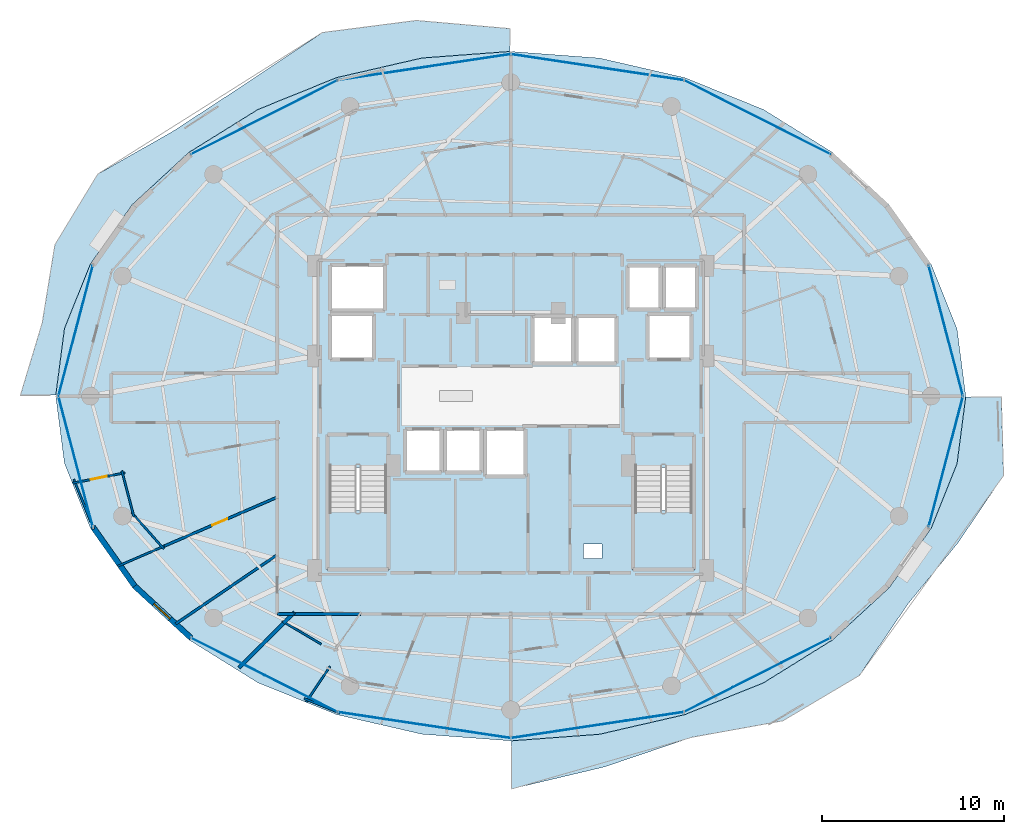
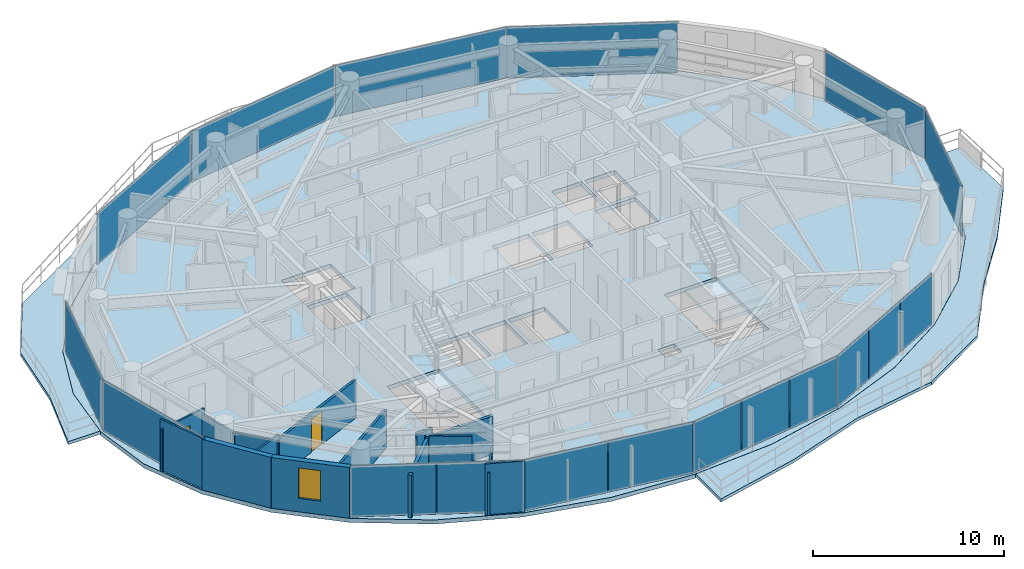
# One storey, part 21 of 31: 18 plates, 16 walls, 5 slabs, 2 doors, 1 window, 3 openings, 6 elements without a shape of their own.
"""IFC4 building model written with IfcOpenShell, lengths in metres."""

import ifcopenshell
import ifcopenshell.guid

model = None  # the IFC model being written
_history = None  # IfcOwnerHistory: only IFC2X3 demands one
_inside = {}  # id of a spatial element -> (the spatial element, [elements in it])
_under = {}  # id of a project, library or spatial element -> (it, [spatial elements below it])
_declared = {}  # id of a project -> (the project, [libraries it declares])
_typed = {}  # id of a type object -> (the type object, [elements of that type])
_made_of = {}  # id of a material, layer set ... -> (it, [elements and type objects made of it])


def new_model(schema):
    """Start an empty IFC model of exactly this schema.

    Asked for "IFC4X3", IfcOpenShell would pick the latest addendum, in which some entities
    have other attributes; the version numbers below select the first issue.
    IFC2X3 requires an IfcOwnerHistory on every rooted entity: one is made here for all.
    """
    global model, _history
    if schema == "IFC4X3":
        model = ifcopenshell.file(schema_version=(4, 3, 0, 0))
    else:
        model = ifcopenshell.file(schema=schema)
    _inside.clear()
    _under.clear()
    _declared.clear()
    _typed.clear()
    _made_of.clear()
    _history = None
    if model.schema == "IFC2X3":
        org = make("IfcOrganization", Name="unknown")
        user = make(
            "IfcPersonAndOrganization",
            ThePerson=make("IfcPerson", FamilyName="unknown"),
            TheOrganization=org,
        )
        app = make(
            "IfcApplication",
            ApplicationDeveloper=org,
            Version="unknown",
            ApplicationFullName="unknown",
            ApplicationIdentifier="unknown",
        )
        _history = make(
            "IfcOwnerHistory",
            OwningUser=user,
            OwningApplication=app,
            ChangeAction="ADDED",
            CreationDate=0,
        )
    return model


def make(cls, **values):
    """One entity of the class cls with the attributes given. An attribute that is None is left unset."""
    return model.create_entity(
        cls, **{name: value for name, value in values.items() if value is not None}
    )


def rooted(cls, **values):
    """An entity with a GlobalId (a new one), such as an element, a storey or a relation."""
    return make(cls, GlobalId=ifcopenshell.guid.new(), OwnerHistory=_history, **values)


def si_unit(unit_type, name, prefix=None):
    """IfcSIUnit, for example si_unit("LENGTHUNIT", "METRE", prefix="MILLI")."""
    return make("IfcSIUnit", UnitType=unit_type, Prefix=prefix, Name=name)


def assignment(units):
    """IfcUnitAssignment: the units of a project."""
    return None if units is None else make("IfcUnitAssignment", Units=units)


def point(xyz):
    """IfcCartesianPoint."""
    return None if xyz is None else make("IfcCartesianPoint", Coordinates=xyz)


def direction(xyz):
    """IfcDirection."""
    return None if xyz is None else make("IfcDirection", DirectionRatios=xyz)


def frame(location, z_axis=None, x_axis=None):
    """IfcAxis2Placement3D, a coordinate frame: its origin and axes. An axis left out is left unset."""
    return make(
        "IfcAxis2Placement3D",
        Location=point(location),
        Axis=direction(z_axis),
        RefDirection=direction(x_axis),
    )


def frame_2d(location, x_axis=None):
    """IfcAxis2Placement2D, a coordinate frame in the plane: its origin and x axis."""
    return make(
        "IfcAxis2Placement2D", Location=point(location), RefDirection=direction(x_axis)
    )


def origin():
    """The frame at (0, 0, 0) with its axes left unset."""
    return frame((0.0, 0.0, 0.0))


def origin_2d():
    """The frame at (0, 0) in the plane with its x axis left unset."""
    return frame_2d((0.0, 0.0))


def place(relative_to, where):
    """IfcLocalPlacement: puts the frame where relative to a parent placement (None: the world)."""
    return make(
        "IfcLocalPlacement", PlacementRelTo=relative_to, RelativePlacement=where
    )


def context(
    kind, dimensions, precision=None, world=None, true_north=None, identifier=None
):
    """IfcGeometricRepresentationContext, for example the 3D "Model" context."""
    return make(
        "IfcGeometricRepresentationContext",
        ContextIdentifier=identifier,
        ContextType=kind,
        CoordinateSpaceDimension=dimensions,
        Precision=precision,
        WorldCoordinateSystem=world,
        TrueNorth=true_north,
    )


def subcontext(parent, identifier, kind, view, scale=None):
    """IfcGeometricRepresentationSubContext, for example "Body" below "Model"."""
    return make(
        "IfcGeometricRepresentationSubContext",
        ContextIdentifier=identifier,
        ContextType=kind,
        ParentContext=parent,
        TargetScale=scale,
        TargetView=view,
    )


def project(units=None, contexts=None):
    """IfcProject with its units and contexts."""
    return rooted(
        "IfcProject",
        Name="project",
        RepresentationContexts=contexts,
        UnitsInContext=assignment(units),
    )


def spatial(cls, under=None, at=None, **own):
    """A site, building, storey or space (cls), placed at a placement, below another one or the project."""
    s = rooted(cls, ObjectPlacement=at, **own)
    if under is not None:
        _under.setdefault(under.id(), (under, []))[1].append(s)
    return s


def polyline(points):
    """IfcPolyline through the points."""
    return make("IfcPolyline", Points=[point(p) for p in points])


def profile(cls, at=None, kind="AREA", **sizes):
    """A parametric profile (cls). Its sizes go by their IFC names, for example OverallWidth=200.0."""
    return make(cls, ProfileType=kind, Position=at, **sizes)


def rectangle(**sizes):
    """IfcRectangleProfileDef."""
    return profile("IfcRectangleProfileDef", **sizes)


def outline(outer, holes=None, kind="AREA"):
    """IfcArbitraryClosedProfileDef: a profile drawn as a closed curve; with holes, ...WithVoids."""
    if holes is None:
        return make("IfcArbitraryClosedProfileDef", ProfileType=kind, OuterCurve=outer)
    return make(
        "IfcArbitraryProfileDefWithVoids",
        ProfileType=kind,
        OuterCurve=outer,
        InnerCurves=holes,
    )


def extrude(swept, where, along, depth):
    """IfcExtrudedAreaSolid: the profile swept, set in the frame where, extruded along a direction by depth."""
    return make(
        "IfcExtrudedAreaSolid",
        SweptArea=swept,
        Position=where,
        ExtrudedDirection=direction(along),
        Depth=depth,
    )


def shape(context_of_items, identifier, shape_type, items):
    """IfcShapeRepresentation: the items that make up one representation, for example the "Body"."""
    return make(
        "IfcShapeRepresentation",
        ContextOfItems=context_of_items,
        RepresentationIdentifier=identifier,
        RepresentationType=shape_type,
        Items=items,
    )


def material(Name=None, Category=None):
    """IfcMaterial."""
    return make("IfcMaterial", Name=Name, Category=Category)


def layer(
    of_material, thickness, ventilated=None, Name=None, Category=None, Priority=None
):
    """IfcMaterialLayer: one layer of a wall or slab, of a material (None: an air gap)."""
    return make(
        "IfcMaterialLayer",
        Material=of_material,
        LayerThickness=thickness,
        IsVentilated=ventilated,
        Name=Name,
        Category=Category,
        Priority=Priority,
    )


def layer_set(layers, Name=None):
    """IfcMaterialLayerSet."""
    return make("IfcMaterialLayerSet", MaterialLayers=layers, LayerSetName=Name)


def made_of(thing, what):
    """Note that an element or type object is made of a material, layer set ...; save() writes the relation."""
    if what is not None:
        _made_of.setdefault(what.id(), (what, []))[1].append(thing)
    return thing


def type_object(cls, material=None, **own):
    """A type object (cls), such as IfcWallType, which elements share."""
    return made_of(rooted(cls, **own), material)


def element(
    cls,
    number,
    at=None,
    inside=None,
    cuts=None,
    type_object=None,
    material=None,
    context=None,
    identifier="Body",
    shape_type=None,
    held_by="IfcProductDefinitionShape",
    body=None,
    shapes=None,
    **own,
):
    """One element of the class cls, such as IfcWall. Its Tag is "e" and its number.

    at: its placement. inside: the storey or other place that contains it. cuts: it is an
    opening in that element (IfcRelVoidsElement). A single representation is given by context,
    identifier, shape_type and body (its items); several are given by shapes. held_by: the class
    of the entity that holds the representations. save() writes the other relations.
    """
    e = rooted(cls, Tag="e%d" % number, ObjectPlacement=at, **own)
    if body is not None:
        shapes = [shape(context, identifier, shape_type, body)]
    if shapes is not None:
        e.Representation = make(held_by, Representations=shapes)
    if inside is not None:
        _inside.setdefault(inside.id(), (inside, []))[1].append(e)
    if cuts is not None:
        rooted(
            "IfcRelVoidsElement", RelatingBuildingElement=cuts, RelatedOpeningElement=e
        )
    if type_object is not None:
        _typed.setdefault(type_object.id(), (type_object, []))[1].append(e)
    return made_of(e, material)


def fill(opening, filler):
    """IfcRelFillsElement: the door or window that sits in an opening."""
    return rooted(
        "IfcRelFillsElement",
        RelatingOpeningElement=opening,
        RelatedBuildingElement=filler,
    )


def aggregate(whole, parts):
    """IfcRelAggregates: a whole, such as a stair, and the parts it consists of."""
    return rooted("IfcRelAggregates", RelatingObject=whole, RelatedObjects=parts)


def save(model, path):
    """Write the relations noted so far, then the file.

    IfcRelAggregates (storeys below a building ...), IfcRelContainedInSpatialStructure (elements
    in a storey), IfcRelDefinesByType, IfcRelAssociatesMaterial and IfcRelDeclares: one each for
    every whole, place, type object, material and project.
    """
    for whole, parts in _under.values():
        aggregate(whole, parts)
    for where, things in _inside.values():
        rooted(
            "IfcRelContainedInSpatialStructure",
            RelatedElements=things,
            RelatingStructure=where,
        )
    for kind, things in _typed.values():
        rooted("IfcRelDefinesByType", RelatedObjects=things, RelatingType=kind)
    for what, things in _made_of.values():
        rooted("IfcRelAssociatesMaterial", RelatedObjects=things, RelatingMaterial=what)
    for by, libraries in _declared.values():
        rooted("IfcRelDeclares", RelatingContext=by, RelatedDefinitions=libraries)
    model.write(path)


model = new_model("IFC4")

# Units and contexts
model_context = context("Model", 3, precision=1e-05, world=origin(), true_north=direction((0.0, 1.0)))
body_context = subcontext(model_context, "Body", "Model", "MODEL_VIEW")
ifc_project = project(units=[si_unit("LENGTHUNIT", "METRE"), si_unit("AREAUNIT", "SQUARE_METRE"), si_unit("VOLUMEUNIT", "CUBIC_METRE"), si_unit("PLANEANGLEUNIT", "RADIAN"), si_unit("MASSUNIT", "GRAM", prefix="KILO")], contexts=[model_context])

# Site, building, storey
site_placement = place(None, origin())
site = spatial("IfcSite", under=ifc_project, at=site_placement, CompositionType="ELEMENT")
building_placement = place(site_placement, origin())
building = spatial("IfcBuilding", under=site, at=building_placement, Name="Vorneva Point Tower", CompositionType="ELEMENT")
storey_placement = place(building_placement, frame((0.0, 0.0, 129.10009765625)))
storey = spatial("IfcBuildingStorey", under=building, at=storey_placement, Name="L34", CompositionType="ELEMENT", Elevation=129.10009765625)

# Curtain wall, plates
ifc_material_1 = material(Name="Pale anodised aluminium", Category="aluminium")
curtain_wall_type = type_object("IfcCurtainWallType", Name="CW-RES-SYS", PredefinedType="NOTDEFINED", material=ifc_material_1)
curtain_wall_1_placement = place(storey_placement, origin())
curtain_wall_1 = element("IfcCurtainWall", 1, at=curtain_wall_1_placement, inside=storey, type_object=curtain_wall_type, Name="L34 Unitised Curtain Wall CW-L34-R01", PredefinedType="NOTDEFINED")
ifc_material_2 = material(Name="Double low-e laminated glass IGU", Category="glass")
ifc_layer_1 = layer(ifc_material_2, 0.035888671875)
ifc_layer_set_1 = layer_set([ifc_layer_1], Name="Double low-e laminated glass IGU")
plate_type = type_object("IfcPlateType", Name="CW-PNL-VIS", PredefinedType="CURTAIN_PANEL", material=ifc_layer_set_1)
plate_1_placement = place(storey_placement, frame((61.856201171875, 22.412353515625, -0.02001953125), z_axis=(0.0, 0.0, 1.0), x_axis=(0.254433162972, 0.967090360608, 0.0)))
plate_1 = element("IfcPlate", 2, at=plate_1_placement, type_object=plate_type, Name="CW-L34-R01 Glazed Panel 01", PredefinedType="CURTAIN_PANEL", context=body_context, shape_type="SweptSolid", body=[
    extrude(rectangle(XDim=7.369384765625, YDim=0.035888671875, at=origin_2d()), origin(), (0.0, 0.0, 1.0), 3.280029296875),
])
plate_2_placement = place(storey_placement, frame((61.856201171875, 29.587646484375, -0.02001953125), z_axis=(0.0, 0.0, 1.0), x_axis=(-0.254433162972, 0.967090360608, 0.0)))
plate_2 = element("IfcPlate", 3, at=plate_2_placement, type_object=plate_type, Name="CW-L34-R01 Glazed Panel 02", PredefinedType="CURTAIN_PANEL", context=body_context, shape_type="SweptSolid", body=[
    extrude(rectangle(XDim=7.369384765625, YDim=0.035888671875, at=origin_2d()), origin(), (0.0, 0.0, 1.0), 3.280029296875),
])
aggregate(curtain_wall_1, [plate_1, plate_2])

curtain_wall_2_placement = place(storey_placement, origin())
curtain_wall_2 = element("IfcCurtainWall", 4, at=curtain_wall_2_placement, inside=storey, type_object=curtain_wall_type, Name="L34 Unitised Curtain Wall CW-L34-R02", PredefinedType="NOTDEFINED")
plate_3_placement = place(storey_placement, frame((51.513427734375, 41.29052734375, -0.02001953125), z_axis=(0.0, 0.0, 1.0), x_axis=(-0.892577949019, 0.450893119182, 0.0)))
plate_3 = element("IfcPlate", 5, at=plate_3_placement, type_object=plate_type, Name="CW-L34-R02 Glazed Panel 01", PredefinedType="CURTAIN_PANEL", context=body_context, shape_type="SweptSolid", body=[
    extrude(rectangle(XDim=8.964111328125, YDim=0.035888671875, at=origin_2d()), origin(), (0.0, 0.0, 1.0), 3.280029296875),
])
plate_4_placement = place(storey_placement, frame((42.7451171875, 44.036376953125, -0.02001953125), z_axis=(0.0, 0.0, 1.0), x_axis=(-0.988878712919, 0.148724211669, 0.0)))
plate_4 = element("IfcPlate", 6, at=plate_4_placement, type_object=plate_type, Name="CW-L34-R02 Glazed Panel 02", PredefinedType="CURTAIN_PANEL", context=body_context, shape_type="SweptSolid", body=[
    extrude(rectangle(XDim=9.547119140625, YDim=0.035888671875, at=origin_2d()), origin(), (0.0, 0.0, 1.0), 3.280029296875),
])
plate_5_placement = place(storey_placement, frame((33.2548828125, 44.036376953125, -0.02001953125), z_axis=(0.0, 0.0, 1.0), x_axis=(-0.988878712919, -0.148724211669, 0.0)))
plate_5 = element("IfcPlate", 7, at=plate_5_placement, type_object=plate_type, Name="CW-L34-R02 Glazed Panel 03", PredefinedType="CURTAIN_PANEL", context=body_context, shape_type="SweptSolid", body=[
    extrude(rectangle(XDim=9.547119140625, YDim=0.035888671875, at=origin_2d()), origin(), (0.0, 0.0, 1.0), 3.280029296875),
])
plate_6_placement = place(storey_placement, frame((24.486572265625, 41.29052734375, -0.02001953125), z_axis=(0.0, 0.0, 1.0), x_axis=(-0.892577949019, -0.450893119182, 0.0)))
plate_6 = element("IfcPlate", 8, at=plate_6_placement, type_object=plate_type, Name="CW-L34-R02 Glazed Panel 04", PredefinedType="CURTAIN_PANEL", context=body_context, shape_type="SweptSolid", body=[
    extrude(rectangle(XDim=8.964111328125, YDim=0.035888671875, at=origin_2d()), origin(), (0.0, 0.0, 1.0), 3.280029296875),
])
aggregate(curtain_wall_2, [plate_3, plate_4, plate_5, plate_6])

curtain_wall_3_placement = place(storey_placement, origin())
curtain_wall_3 = element("IfcCurtainWall", 9, at=curtain_wall_3_placement, inside=storey, type_object=curtain_wall_type, Name="L34 Unitised Curtain Wall CW-L34-R03", PredefinedType="NOTDEFINED")
plate_7_placement = place(storey_placement, frame((14.143798828125, 29.587646484375, -0.02001953125), z_axis=(0.0, 0.0, 1.0), x_axis=(-0.254433162972, -0.967090360608, 0.0)))
plate_7 = element("IfcPlate", 10, at=plate_7_placement, type_object=plate_type, Name="CW-L34-R03 Glazed Panel 01", PredefinedType="CURTAIN_PANEL", context=body_context, shape_type="SweptSolid", body=[
    extrude(rectangle(XDim=7.369384765625, YDim=0.035888671875, at=origin_2d()), origin(), (0.0, 0.0, 1.0), 3.280029296875),
])
plate_8_placement = place(storey_placement, frame((14.143798828125, 22.412353515625, -0.02001953125), z_axis=(0.0, 0.0, 1.0), x_axis=(0.254433162972, -0.967090360608, 0.0)))
plate_8 = element("IfcPlate", 11, at=plate_8_placement, type_object=plate_type, Name="CW-L34-R03 Glazed Panel 02", PredefinedType="CURTAIN_PANEL", context=body_context, shape_type="SweptSolid", body=[
    extrude(rectangle(XDim=7.369384765625, YDim=0.035888671875, at=origin_2d()), origin(), (0.0, 0.0, 1.0), 3.280029296875),
])
aggregate(curtain_wall_3, [plate_7, plate_8])

curtain_wall_4_placement = place(storey_placement, origin())
curtain_wall_4 = element("IfcCurtainWall", 12, at=curtain_wall_4_placement, inside=storey, type_object=curtain_wall_type, Name="L34 Unitised Curtain Wall CW-L34-R04", PredefinedType="NOTDEFINED")
plate_9_placement = place(storey_placement, frame((22.47509765625, 11.7255859375, -0.02001953125), z_axis=(0.0, 0.0, 1.0), x_axis=(0.892577949019, -0.450893119182, 0.0)))
plate_9 = element("IfcPlate", 13, at=plate_9_placement, type_object=plate_type, Name="CW-L34-R04 Glazed Panel 01A", PredefinedType="CURTAIN_PANEL", context=body_context, shape_type="SweptSolid", body=[
    extrude(rectangle(XDim=4.45703125, YDim=0.035888671875, at=origin_2d()), origin(), (0.0, 0.0, 1.0), 3.280029296875),
])
plate_10_placement = place(storey_placement, frame((26.498046875, 9.693359375, -0.02001953125), z_axis=(0.0, 0.0, 1.0), x_axis=(0.892577949019, -0.450893119182, 0.0)))
plate_10 = element("IfcPlate", 14, at=plate_10_placement, type_object=plate_type, Name="CW-L34-R04 Glazed Panel 01B", PredefinedType="CURTAIN_PANEL", context=body_context, shape_type="SweptSolid", body=[
    extrude(rectangle(XDim=4.45703125, YDim=0.035888671875, at=origin_2d()), origin(), (0.0, 0.0, 1.0), 3.280029296875),
])
plate_11_placement = place(storey_placement, frame((30.882080078125, 8.320556640625, -0.02001953125), z_axis=(0.0, 0.0, 1.0), x_axis=(0.988878712919, -0.148724211669, 0.0)))
plate_11 = element("IfcPlate", 15, at=plate_11_placement, type_object=plate_type, Name="CW-L34-R04 Glazed Panel 02A", PredefinedType="CURTAIN_PANEL", context=body_context, shape_type="SweptSolid", body=[
    extrude(rectangle(XDim=4.74853515625, YDim=0.035888671875, at=origin_2d()), origin(), (0.0, 0.0, 1.0), 3.280029296875),
])
plate_12_placement = place(storey_placement, frame((35.62744140625, 7.606689453125, -0.02001953125), z_axis=(0.0, 0.0, 1.0), x_axis=(0.988878712919, -0.148724211669, 0.0)))
plate_12 = element("IfcPlate", 16, at=plate_12_placement, type_object=plate_type, Name="CW-L34-R04 Glazed Panel 02B", PredefinedType="CURTAIN_PANEL", context=body_context, shape_type="SweptSolid", body=[
    extrude(rectangle(XDim=4.74853515625, YDim=0.035888671875, at=origin_2d()), origin(), (0.0, 0.0, 1.0), 3.280029296875),
])
plate_13_placement = place(storey_placement, frame((39.581787109375, 7.48779296875, -0.02001953125), z_axis=(0.0, 0.0, 1.0), x_axis=(0.988878712919, 0.148724211669, 0.0)))
plate_13 = element("IfcPlate", 17, at=plate_13_placement, type_object=plate_type, Name="CW-L34-R04 Glazed Panel 03A", PredefinedType="CURTAIN_PANEL", context=body_context, shape_type="SweptSolid", body=[
    extrude(rectangle(XDim=3.149169921875, YDim=0.035888671875, at=origin_2d()), origin(), (0.0, 0.0, 1.0), 3.280029296875),
])
plate_14_placement = place(storey_placement, frame((42.7451171875, 7.963623046875, -0.02001953125), z_axis=(0.0, 0.0, 1.0), x_axis=(0.988878712919, 0.148724211669, 0.0)))
plate_14 = element("IfcPlate", 18, at=plate_14_placement, type_object=plate_type, Name="CW-L34-R04 Glazed Panel 03B", PredefinedType="CURTAIN_PANEL", context=body_context, shape_type="SweptSolid", body=[
    extrude(rectangle(XDim=3.149169921875, YDim=0.035888671875, at=origin_2d()), origin(), (0.0, 0.0, 1.0), 3.280029296875),
])
plate_15_placement = place(storey_placement, frame((45.90869140625, 8.439453125, -0.02001953125), z_axis=(0.0, 0.0, 1.0), x_axis=(0.988878712919, 0.148724211669, 0.0)))
plate_15 = element("IfcPlate", 19, at=plate_15_placement, type_object=plate_type, Name="CW-L34-R04 Glazed Panel 03C", PredefinedType="CURTAIN_PANEL", context=body_context, shape_type="SweptSolid", body=[
    extrude(rectangle(XDim=3.149169921875, YDim=0.035888671875, at=origin_2d()), origin(), (0.0, 0.0, 1.0), 3.280029296875),
])
plate_16_placement = place(storey_placement, frame((48.831298828125, 9.354736328125, -0.02001953125), z_axis=(0.0, 0.0, 1.0), x_axis=(0.892577949019, 0.450893119182, 0.0)))
plate_16 = element("IfcPlate", 20, at=plate_16_placement, type_object=plate_type, Name="CW-L34-R04 Glazed Panel 04A", PredefinedType="CURTAIN_PANEL", context=body_context, shape_type="SweptSolid", body=[
    extrude(rectangle(XDim=2.95458984375, YDim=0.035888671875, at=origin_2d()), origin(), (0.0, 0.0, 1.0), 3.280029296875),
])
plate_17_placement = place(storey_placement, frame((51.513427734375, 10.70947265625, -0.02001953125), z_axis=(0.0, 0.0, 1.0), x_axis=(0.892577949019, 0.450893119182, 0.0)))
plate_17 = element("IfcPlate", 21, at=plate_17_placement, type_object=plate_type, Name="CW-L34-R04 Glazed Panel 04B", PredefinedType="CURTAIN_PANEL", context=body_context, shape_type="SweptSolid", body=[
    extrude(rectangle(XDim=2.95458984375, YDim=0.035888671875, at=origin_2d()), origin(), (0.0, 0.0, 1.0), 3.280029296875),
])
plate_18_placement = place(storey_placement, frame((54.1953125, 12.064208984375, -0.02001953125), z_axis=(0.0, 0.0, 1.0), x_axis=(0.892577949019, 0.450893119182, 0.0)))
plate_18 = element("IfcPlate", 22, at=plate_18_placement, type_object=plate_type, Name="CW-L34-R04 Glazed Panel 04C", PredefinedType="CURTAIN_PANEL", context=body_context, shape_type="SweptSolid", body=[
    extrude(rectangle(XDim=2.95458984375, YDim=0.035888671875, at=origin_2d()), origin(), (0.0, 0.0, 1.0), 3.280029296875),
])
aggregate(curtain_wall_4, [plate_9, plate_10, plate_11, plate_12, plate_13, plate_14, plate_15, plate_16, plate_17, plate_18])

# Slabs
ifc_material_3 = material(Name="Concrete B50 (C40/50)", Category="concrete")
ifc_layer_2 = layer(ifc_material_3, 0.199951171875)
ifc_layer_set_2 = layer_set([ifc_layer_2], Name="Concrete B50 (C40/50)")
slab_type_1 = type_object("IfcSlabType", Name="SLB-BAL-200", PredefinedType="FLOOR", material=ifc_layer_set_2)
slab_1_placement = place(storey_placement, frame((0.0, 0.0, -0.2001953125)))
element("IfcSlab", 23, at=slab_1_placement, inside=storey, type_object=slab_type_1, Name="L34 Cantilevered Wave Balcony NW", PredefinedType="FLOOR", context=body_context, shape_type="SweptSolid", body=[
    extrude(outline(polyline([(11.114990234375, 26.050048828125), (13.052490234375, 26.050048828125), (13.525390625, 29.687744140625), (13.525390625, 29.68798828125), (13.525634765625, 29.6884765625), (13.525634765625, 29.688720703125), (14.945556640625, 33.234130859375), (14.94580078125, 33.234619140625), (14.94580078125, 33.235107421875), (17.25146484375, 36.502685546875), (17.251708984375, 36.5029296875), (17.252197265625, 36.503173828125), (20.35498046875, 39.3671875), (20.355224609375, 39.367431640625), (20.355712890625, 39.36767578125), (24.136474609375, 41.71826171875), (24.13671875, 41.718505859375), (24.136962890625, 41.718505859375), (28.450439453125, 43.465087890625), (28.45068359375, 43.465087890625), (28.451171875, 43.465087890625), (33.131591796875, 44.540771484375), (33.1318359375, 44.540771484375), (33.132080078125, 44.540771484375), (37.949951171875, 44.900390625), (37.949951171875, 46.154296875), (32.821533203125, 46.60009765625), (27.674560546875, 45.93896484375), (23.43359375, 43.107666015625), (19.47900390625, 40.524169921875), (15.35595703125, 38.17529296875), (13.003173828125, 34.296875), (12.307373046875, 30.008056640625), (11.114990234375, 26.050048828125)])), origin(), (0.0, 0.0, 1.0), 0.2001953125),
])
slab_2_placement = place(storey_placement, frame((0.0, 0.0, -0.2001953125)))
element("IfcSlab", 24, at=slab_2_placement, inside=storey, type_object=slab_type_1, Name="L34 Cantilevered Wave Balcony SE", PredefinedType="FLOOR", context=body_context, shape_type="SweptSolid", body=[
    extrude(outline(polyline([(65.020751953125, 21.643310546875), (64.9013671875, 25.949951171875), (62.947509765625, 25.949951171875), (62.474609375, 22.312255859375), (62.474609375, 22.31201171875), (62.474365234375, 22.3115234375), (62.474365234375, 22.311279296875), (61.054443359375, 18.765869140625), (61.05419921875, 18.765380859375), (61.05419921875, 18.764892578125), (58.74853515625, 15.497314453125), (58.748291015625, 15.4970703125), (58.747802734375, 15.496826171875), (55.64501953125, 12.6328125), (55.644775390625, 12.632568359375), (55.644287109375, 12.63232421875), (51.863525390625, 10.28173828125), (51.86328125, 10.281494140625), (51.863037109375, 10.281494140625), (47.549560546875, 8.534912109375), (47.54931640625, 8.534912109375), (47.548828125, 8.534912109375), (42.868408203125, 7.459228515625), (42.8681640625, 7.459228515625), (42.867919921875, 7.459228515625), (38.050048828125, 7.099609375), (38.050048828125, 4.4619140625), (43.1376953125, 5.669921875), (47.93798828125, 7.295166015625), (52.917724609375, 8.198486328125), (57.11865234375, 10.686767578125), (59.77099609375, 14.5947265625), (62.526611328125, 17.960205078125), (65.020751953125, 21.643310546875)])), origin(), (0.0, 0.0, 1.0), 0.2001953125),
])

# Stair, slab
stair_type = type_object("IfcStairType", Name="ST-DOG-1500", PredefinedType="HALF_TURN_STAIR", material=ifc_material_3)
stair_1_placement = place(storey_placement, origin())
stair_1 = element("IfcStair", 25, at=stair_1_placement, inside=storey, type_object=stair_type, Name="L34 ST1", PredefinedType="HALF_TURN_STAIR")
ifc_layer_3 = layer(ifc_material_3, 0.199951171875)
ifc_layer_set_3 = layer_set([ifc_layer_3], Name="Concrete B50 (C40/50)")
slab_type_2 = type_object("IfcSlabType", Name="SLB-LND-200", PredefinedType="LANDING", material=ifc_layer_set_3)
slab_3_placement = place(storey_placement, frame((0.0, 0.0, 1.5498046875)))
slab_3 = element("IfcSlab", 26, at=slab_3_placement, type_object=slab_type_2, Name="ST1 landing 1", PredefinedType="LANDING", context=body_context, shape_type="SweptSolid", body=[
    extrude(outline(polyline([(27.929931640625, 16.47998046875), (31.320068359375, 16.47998046875), (31.320068359375, 19.72998046875), (27.929931640625, 19.72998046875), (27.929931640625, 16.47998046875)])), origin(), (0.0, 0.0, 1.0), 0.2001953125),
])
aggregate(stair_1, [slab_3])

stair_2_placement = place(storey_placement, origin())
stair_2 = element("IfcStair", 27, at=stair_2_placement, inside=storey, type_object=stair_type, Name="L34 ST2", PredefinedType="HALF_TURN_STAIR")
slab_4_placement = place(storey_placement, frame((0.0, 0.0, 1.5498046875)))
slab_4 = element("IfcSlab", 28, at=slab_4_placement, type_object=slab_type_2, Name="ST2 landing 1", PredefinedType="LANDING", context=body_context, shape_type="SweptSolid", body=[
    extrude(outline(polyline([(44.679931640625, 16.47998046875), (48.070068359375, 16.47998046875), (48.070068359375, 19.72998046875), (44.679931640625, 19.72998046875), (44.679931640625, 16.47998046875)])), origin(), (0.0, 0.0, 1.0), 0.2001953125),
])
aggregate(stair_2, [slab_4])

# Slab
ifc_layer_4 = layer(ifc_material_3, 0.260009765625)
ifc_layer_set_4 = layer_set([ifc_layer_4], Name="Concrete B50 (C40/50)")
slab_type_3 = type_object("IfcSlabType", Name="SLB-TYP-260", PredefinedType="FLOOR", material=ifc_layer_set_4)
slab_5_placement = place(storey_placement, frame((0.0, 0.0, -0.260009765625)))
element("IfcSlab", 29, at=slab_5_placement, inside=storey, type_object=slab_type_3, Name="L34 Structural Floor Plate", PredefinedType="FLOOR", context=body_context, shape_type="SweptSolid", body=[
    extrude(outline(polyline([(62.949951171875, 26.0), (62.470703125, 29.687255859375), (61.05078125, 33.232666015625), (58.7451171875, 36.500244140625), (55.642333984375, 39.3642578125), (51.861572265625, 41.71484375), (47.548095703125, 43.461181640625), (42.867431640625, 44.536865234375), (38.0, 44.89990234375), (33.132568359375, 44.536865234375), (28.451904296875, 43.461181640625), (24.138427734375, 41.71484375), (20.357666015625, 39.3642578125), (17.2548828125, 36.500244140625), (14.94921875, 33.232666015625), (13.529296875, 29.687255859375), (13.050048828125, 26.0), (13.529296875, 22.312744140625), (14.94921875, 18.767333984375), (17.2548828125, 15.499755859375), (20.357666015625, 12.6357421875), (24.138427734375, 10.28515625), (28.451904296875, 8.538818359375), (33.132568359375, 7.463134765625), (38.0, 7.10009765625), (42.867431640625, 7.463134765625), (47.548095703125, 8.538818359375), (51.861572265625, 10.28515625), (55.642333984375, 12.6357421875), (58.7451171875, 15.499755859375), (61.05078125, 18.767333984375), (62.470703125, 22.312744140625), (62.949951171875, 26.0)]), holes=[polyline([(32.199951171875, 21.800048828125), (34.199951171875, 21.800048828125), (34.199951171875, 24.199951171875), (32.199951171875, 24.199951171875), (32.199951171875, 21.800048828125)]), polyline([(34.39990234375, 21.800048828125), (36.39990234375, 21.800048828125), (36.39990234375, 24.199951171875), (34.39990234375, 24.199951171875), (34.39990234375, 21.800048828125)]), polyline([(36.60009765625, 21.60009765625), (38.800048828125, 21.60009765625), (38.800048828125, 24.199951171875), (36.60009765625, 24.199951171875), (36.60009765625, 21.60009765625)]), polyline([(39.199951171875, 27.800048828125), (41.39990234375, 27.800048828125), (41.39990234375, 30.39990234375), (39.199951171875, 30.39990234375), (39.199951171875, 27.800048828125)]), polyline([(41.60009765625, 27.800048828125), (43.800048828125, 27.800048828125), (43.800048828125, 30.39990234375), (41.60009765625, 30.39990234375), (41.60009765625, 27.800048828125)]), polyline([(44.39990234375, 30.739990234375), (46.199951171875, 30.739990234375), (46.199951171875, 33.159912109375), (44.39990234375, 33.159912109375), (44.39990234375, 30.739990234375)]), polyline([(46.39990234375, 30.739990234375), (48.199951171875, 30.739990234375), (48.199951171875, 33.159912109375), (46.39990234375, 33.159912109375), (46.39990234375, 30.739990234375)]), polyline([(28.10009765625, 28.0), (30.5, 28.0), (30.5, 30.5), (28.10009765625, 30.5), (28.10009765625, 28.0)]), polyline([(45.5, 28.0), (47.89990234375, 28.0), (47.89990234375, 30.5), (45.5, 30.5), (45.5, 28.0)]), polyline([(28.10009765625, 30.699951171875), (31.10009765625, 30.699951171875), (31.10009765625, 33.199951171875), (28.10009765625, 33.199951171875), (28.10009765625, 30.699951171875)]), polyline([(28.050048828125, 16.60009765625), (31.199951171875, 16.60009765625), (31.199951171875, 22.080078125), (28.050048828125, 22.080078125), (28.050048828125, 16.60009765625)]), polyline([(44.800048828125, 16.60009765625), (47.949951171875, 16.60009765625), (47.949951171875, 22.080078125), (44.800048828125, 22.080078125), (44.800048828125, 16.60009765625)]), polyline([(42.0, 17.10009765625), (43.0, 17.10009765625), (43.0, 17.89990234375), (42.0, 17.89990234375), (42.0, 17.10009765625)])]), origin(), (0.0, 0.0, 1.0), 0.260009765625),
])

# Wall
ifc_material_4 = material(Name="Precast concrete B50 (C40/50)", Category="concrete")
ifc_layer_5 = layer(ifc_material_4, 0.300048828125)
ifc_layer_set_5 = layer_set([ifc_layer_5], Name="Precast concrete B50 (C40/50)")
wall_type_1 = type_object("IfcWallType", Name="WL-EXT-300", PredefinedType="STANDARD", material=ifc_layer_set_5)
wall_1_placement = place(storey_placement, frame((15.087890625, 18.82470703125, 0.0), z_axis=(0.0, 0.0, 1.0), x_axis=(0.577269753207, -0.816553508371, 0.0)))
element("IfcWall", 30, at=wall_1_placement, inside=storey, type_object=wall_type_1, Name="L34 Pale-Metal Facade Spandrel Wall 10.1", PredefinedType="STANDARD", context=body_context, shape_type="SweptSolid", body=[
    extrude(rectangle(XDim=3.969970703125, YDim=0.300048828125, at=frame_2d((1.98486328125, 0.0))), origin(), (0.0, 0.0, 1.0), 3.239990234375),
])

# Wall, opening, window
wall_2_placement = place(storey_placement, frame((17.379638671875, 15.5830078125, 0.0), z_axis=(0.0, 0.0, 1.0), x_axis=(0.735477154165, -0.677549522693, 0.0)))
wall_2 = element("IfcWall", 31, at=wall_2_placement, inside=storey, type_object=wall_type_1, Name="L34 Pale-Metal Facade Spandrel Wall 10.2", PredefinedType="STANDARD", context=body_context, shape_type="SweptSolid", body=[
    extrude(rectangle(XDim=4.193603515625, YDim=0.300048828125, at=frame_2d((2.0966796875, 0.0))), origin(), (0.0, 0.0, 1.0), 3.239990234375),
])
opening_1_placement = place(wall_2_placement, frame((1.437744140625, 0.0, 0.85009765625)))
opening_1 = element("IfcOpeningElement", 32, at=opening_1_placement, cuts=wall_2, Name="Opening W-04", PredefinedType="OPENING", context=body_context, shape_type="SweptSolid", body=[
    extrude(rectangle(XDim=1.199951171875, YDim=1.949951171875, at=frame_2d((0.60009765625, 0.97509765625))), frame((0.0, 0.1650390625, 0.0), z_axis=(0.0, -1.0, 0.0), x_axis=(1.0, 0.0, 0.0)), (0.0, 0.0, 1.0), 0.329833984375),
])
window_type = type_object("IfcWindowType", Name="WN-RES-1200", PartitioningType="SINGLE_PANEL", PredefinedType="WINDOW", material=ifc_material_2)
window_placement = place(opening_1_placement, origin())
window = element("IfcWindow", 33, at=window_placement, inside=storey, type_object=window_type, Name="L34 Dwelling Vision Window 01", OverallHeight=1.949951171875, OverallWidth=1.199951171875, PartitioningType="SINGLE_PANEL", PredefinedType="WINDOW", context=body_context, shape_type="SweptSolid", body=[
    extrude(rectangle(XDim=1.199951171875, YDim=1.949951171875, at=frame_2d((0.60009765625, 0.97509765625))), frame((0.0, 0.030029296875, 0.0), z_axis=(0.0, -1.0, 0.0), x_axis=(1.0, 0.0, 0.0)), (0.0, 0.0, 1.0), 0.06005859375),
])
fill(opening_1, window)

# Wall, opening, door
ifc_material_5 = material(Name="Fire-rated acoustic gypsum stud partition", Category="gypsum")
ifc_layer_6 = layer(ifc_material_5, 0.110107421875)
ifc_layer_set_6 = layer_set([ifc_layer_6], Name="Fire-rated acoustic gypsum stud partition")
wall_type_2 = type_object("IfcWallType", Name="WL-PART-110", PredefinedType="PARTITIONING", material=ifc_layer_set_6)
wall_3_placement = place(storey_placement, frame((13.976806640625, 21.229736328125, 0.0), z_axis=(0.0, 0.0, 1.0), x_axis=(0.980903189798, 0.194496612425, 0.0)))
wall_3 = element("IfcWall", 34, at=wall_3_placement, inside=storey, type_object=wall_type_2, Name="L34 Interior Partition 106", PredefinedType="PARTITIONING", context=body_context, shape_type="SweptSolid", body=[
    extrude(rectangle(XDim=2.928466796875, YDim=0.110107421875, at=frame_2d((1.46435546875, 0.0))), origin(), (0.0, 0.0, 1.0), 2.727783203125),
])
opening_2_placement = place(wall_3_placement, frame((1.01416015625, 0.0, 0.0)))
opening_2 = element("IfcOpeningElement", 35, at=opening_2_placement, cuts=wall_3, Name="Opening ID-01", PredefinedType="OPENING", context=body_context, shape_type="SweptSolid", body=[
    extrude(rectangle(XDim=0.89990234375, YDim=2.10009765625, at=frame_2d((0.449951171875, 1.050048828125))), frame((0.0, 0.06982421875, 0.0), z_axis=(0.0, -1.0, 0.0), x_axis=(1.0, 0.0, 0.0)), (0.0, 0.0, 1.0), 0.139892578125),
])
ifc_material_6 = material(Name="Engineered oak fire-rated door leaf", Category="wood")
door_type = type_object("IfcDoorType", Name="DR-ROOM-900", OperationType="NOTDEFINED", PredefinedType="DOOR", material=ifc_material_6)
door_1_placement = place(opening_2_placement, origin())
door_1 = element("IfcDoor", 36, at=door_1_placement, inside=storey, type_object=door_type, Name="L34 Door Living and Dining Room L34-05 / Kitchen L34-05", OperationType="SINGLE_SWING_RIGHT", OverallHeight=2.10009765625, OverallWidth=0.89990234375, PredefinedType="DOOR", context=body_context, shape_type="SweptSolid", body=[
    extrude(rectangle(XDim=0.89990234375, YDim=2.10009765625, at=frame_2d((0.449951171875, 1.050048828125))), frame((0.0, 0.02490234375, 0.0), z_axis=(0.0, -1.0, 0.0), x_axis=(1.0, 0.0, 0.0)), (0.0, 0.0, 1.0), 0.050048828125),
])
fill(opening_2, door_1)

# Walls
wall_4_placement = place(storey_placement, frame((16.676513671875, 21.907470703125, 0.0), z_axis=(0.0, 0.0, 1.0), x_axis=(0.254263226868, -0.967135053373, 0.0)))
element("IfcWall", 37, at=wall_4_placement, inside=storey, type_object=wall_type_2, Name="L34 Interior Partition 107", PredefinedType="PARTITIONING", context=body_context, shape_type="SweptSolid", body=[
    extrude(rectangle(XDim=2.61181640625, YDim=0.110107421875, at=frame_2d((1.305908203125, 0.0))), origin(), (0.0, 0.0, 1.0), 2.431884765625),
])
wall_5_placement = place(storey_placement, frame((17.21240234375, 19.621826171875, 0.0), z_axis=(0.0, 0.0, 1.0), x_axis=(0.662196601313, -0.749330141666, 0.0)))
element("IfcWall", 38, at=wall_5_placement, inside=storey, type_object=wall_type_2, Name="L34 Interior Partition 108", PredefinedType="PARTITIONING", context=body_context, shape_type="SweptSolid", body=[
    extrude(rectangle(XDim=2.66748046875, YDim=0.110107421875, at=frame_2d((1.333740234375, 0.0))), origin(), (0.0, 0.0, 1.0), 2.431884765625),
])
wall_6_placement = place(storey_placement, frame((14.0400390625, 21.443115234375, 0.0), z_axis=(0.0, 0.0, 1.0), x_axis=(0.371490730185, -0.928436663099, 0.0)))
element("IfcWall", 39, at=wall_6_placement, inside=storey, type_object=wall_type_2, Name="L34 Interior Partition 109", PredefinedType="PARTITIONING", context=body_context, shape_type="SweptSolid", body=[
    extrude(rectangle(XDim=2.94482421875, YDim=0.110107421875, at=frame_2d((1.472412109375, 0.0))), origin(), (0.0, 0.0, 1.0), 3.239990234375),
])
wall_7_placement = place(storey_placement, frame((16.443603515625, 16.67138671875, 0.0), z_axis=(0.0, 0.0, 1.0), x_axis=(0.91777806569, 0.39709371959, 0.0)))
element("IfcWall", 40, at=wall_7_placement, inside=storey, type_object=wall_type_2, Name="L34 Interior Partition 111", PredefinedType="PARTITIONING", context=body_context, shape_type="SweptSolid", body=[
    extrude(rectangle(XDim=2.801025390625, YDim=0.110107421875, at=frame_2d((1.400390625, 0.0))), origin(), (0.0, 0.0, 1.0), 2.727783203125),
])
wall_8_placement = place(storey_placement, frame((27.610595703125, 12.398681640625, 0.0), z_axis=(0.0, 0.0, 1.0), x_axis=(-0.860546797705, 0.509371386082, 0.0)))
element("IfcWall", 41, at=wall_8_placement, inside=storey, type_object=wall_type_2, Name="L34 Interior Partition 117", PredefinedType="PARTITIONING", context=body_context, shape_type="SweptSolid", body=[
    extrude(rectangle(XDim=2.484619140625, YDim=0.110107421875, at=frame_2d((1.2421875, 0.0))), origin(), (0.0, 0.0, 1.0), 2.8740234375),
])
wall_9_placement = place(storey_placement, frame((26.78515625, 9.2275390625, 0.0), z_axis=(0.0, 0.0, 1.0), x_axis=(0.555802936367, 0.831314077786, 0.0)))
element("IfcWall", 42, at=wall_9_placement, inside=storey, type_object=wall_type_2, Name="L34 Interior Partition 118", PredefinedType="PARTITIONING", context=body_context, shape_type="SweptSolid", body=[
    extrude(rectangle(XDim=2.34912109375, YDim=0.110107421875, at=frame_2d((1.174560546875, 0.0))), origin(), (0.0, 0.0, 1.0), 2.727783203125),
])
wall_10_placement = place(storey_placement, frame((26.67724609375, 9.41845703125, 0.0), z_axis=(0.0, 0.0, 1.0), x_axis=(0.926947774479, -0.375190382857, 0.0)))
element("IfcWall", 43, at=wall_10_placement, inside=storey, type_object=wall_type_2, Name="L34 Interior Partition 122", PredefinedType="PARTITIONING", context=body_context, shape_type="SweptSolid", body=[
    extrude(rectangle(XDim=2.10302734375, YDim=0.110107421875, at=frame_2d((1.051513671875, 0.0))), origin(), (0.0, 0.0, 1.0), 3.239990234375),
])

# Wall, opening, door
ifc_layer_7 = layer(ifc_material_5, 0.139892578125)
ifc_layer_set_7 = layer_set([ifc_layer_7], Name="Fire-rated acoustic gypsum stud partition")
wall_type_3 = type_object("IfcWallType", Name="WL-PART-140", PredefinedType="PARTITIONING", material=ifc_layer_set_7)
wall_11_placement = place(storey_placement, frame((18.885986328125, 17.72802734375, 0.0), z_axis=(0.0, 0.0, 1.0), x_axis=(0.917722116807, 0.397223005782, 0.0)))
wall_11 = element("IfcWall", 44, at=wall_11_placement, inside=storey, type_object=wall_type_3, Name="L34 Interior Partition 110", PredefinedType="PARTITIONING", context=body_context, shape_type="SweptSolid", body=[
    extrude(rectangle(XDim=6.880126953125, YDim=0.139892578125, at=frame_2d((3.43994140625, 0.0))), origin(), (0.0, 0.0, 1.0), 2.431884765625),
])
opening_3_placement = place(wall_11_placement, frame((2.989990234375, 0.0, 0.0)))
opening_3 = element("IfcOpeningElement", 45, at=opening_3_placement, cuts=wall_11, Name="Opening ID-01", PredefinedType="OPENING", context=body_context, shape_type="SweptSolid", body=[
    extrude(rectangle(XDim=0.89990234375, YDim=2.10009765625, at=frame_2d((0.449951171875, 1.050048828125))), frame((0.0, 0.0849609375, 0.0), z_axis=(0.0, -1.0, 0.0), x_axis=(1.0, 0.0, 0.0)), (0.0, 0.0, 1.0), 0.169677734375),
])
door_2_placement = place(opening_3_placement, origin())
door_2 = element("IfcDoor", 46, at=door_2_placement, inside=storey, type_object=door_type, Name="L34 Door Living and Dining Room L34-05 / Master Bedroom L34-05.1", OperationType="SINGLE_SWING_LEFT", OverallHeight=2.10009765625, OverallWidth=0.89990234375, PredefinedType="DOOR", context=body_context, shape_type="SweptSolid", body=[
    extrude(rectangle(XDim=0.89990234375, YDim=2.10009765625, at=frame_2d((0.449951171875, 1.050048828125))), frame((0.0, 0.02490234375, 0.0), z_axis=(0.0, -1.0, 0.0), x_axis=(1.0, 0.0, 0.0)), (0.0, 0.0, 1.0), 0.050048828125),
])
fill(opening_3, door_2)

# Walls
wall_12_placement = place(storey_placement, frame((19.626953125, 13.513916015625, 0.0), z_axis=(0.0, 0.0, 1.0), x_axis=(0.827101009155, 0.562053307663, 0.0)))
element("IfcWall", 47, at=wall_12_placement, inside=storey, type_object=wall_type_3, Name="L34 Interior Partition 112", PredefinedType="PARTITIONING", context=body_context, shape_type="SweptSolid", body=[
    extrude(rectangle(XDim=6.738037109375, YDim=0.139892578125, at=frame_2d((3.369140625, 0.0))), origin(), (0.0, 0.0, 1.0), 2.431884765625),
])
ifc_material_7 = material(Name="Autoclaved aerated concrete blockwork", Category="masonry")
ifc_layer_8 = layer(ifc_material_7, 0.179931640625)
ifc_layer_set_8 = layer_set([ifc_layer_8], Name="Autoclaved aerated concrete blockwork")
wall_type_4 = type_object("IfcWallType", Name="WL-PART-180", PredefinedType="PARTITIONING", material=ifc_layer_set_8)
wall_13_placement = place(storey_placement, frame((25.199951171875, 14.050048828125, 0.0), z_axis=(0.0, 0.0, 1.0), x_axis=(1.0, 0.0, 0.0)))
element("IfcWall", 48, at=wall_13_placement, inside=storey, type_object=wall_type_4, Name="L34 Interior Partition 056", PredefinedType="PARTITIONING", context=body_context, shape_type="SweptSolid", body=[
    extrude(rectangle(XDim=0.91015625, YDim=0.179931640625, at=frame_2d((0.455078125, 0.0))), origin(), (0.0, 0.0, 1.0), 2.8740234375),
])
wall_14_placement = place(storey_placement, frame((25.969970703125, 14.050048828125, 0.0), z_axis=(0.0, 0.0, 1.0), x_axis=(1.0, 0.0, 0.0)))
element("IfcWall", 49, at=wall_14_placement, inside=storey, type_object=wall_type_4, Name="L34 Interior Partition 058", PredefinedType="PARTITIONING", context=body_context, shape_type="SweptSolid", body=[
    extrude(rectangle(XDim=3.821044921875, YDim=0.179931640625, at=frame_2d((1.91064453125, 0.0))), origin(), (0.0, 0.0, 1.0), 2.431884765625),
])
ifc_layer_9 = layer(ifc_material_7, 0.199951171875)
ifc_layer_set_9 = layer_set([ifc_layer_9], Name="Autoclaved aerated concrete blockwork")
wall_type_5 = type_object("IfcWallType", Name="WL-PART-200", PredefinedType="PARTITIONING", material=ifc_layer_set_9)
wall_15_placement = place(storey_placement, frame((23.10498046875, 11.10498046875, 0.0), z_axis=(0.0, 0.0, 1.0), x_axis=(0.707106781187, 0.707106781187, 0.0)))
element("IfcWall", 50, at=wall_15_placement, inside=storey, type_object=wall_type_5, Name="L34 Interior Partition 113", PredefinedType="PARTITIONING", context=body_context, shape_type="SweptSolid", body=[
    extrude(rectangle(XDim=3.580810546875, YDim=0.199951171875, at=frame_2d((1.79052734375, 0.0))), origin(), (0.0, 0.0, 1.0), 2.727783203125),
])
wall_16_placement = place(storey_placement, frame((25.5380859375, 13.5380859375, 0.0), z_axis=(0.0, 0.0, 1.0), x_axis=(0.707106781187, 0.707106781187, 0.0)))
element("IfcWall", 51, at=wall_16_placement, inside=storey, type_object=wall_type_5, Name="L34 Interior Partition 114", PredefinedType="PARTITIONING", context=body_context, shape_type="SweptSolid", body=[
    extrude(rectangle(XDim=0.86376953125, YDim=0.199951171875, at=frame_2d((0.431884765625, 0.0))), origin(), (0.0, 0.0, 1.0), 2.8740234375),
])

save(model, "model.ifc")
